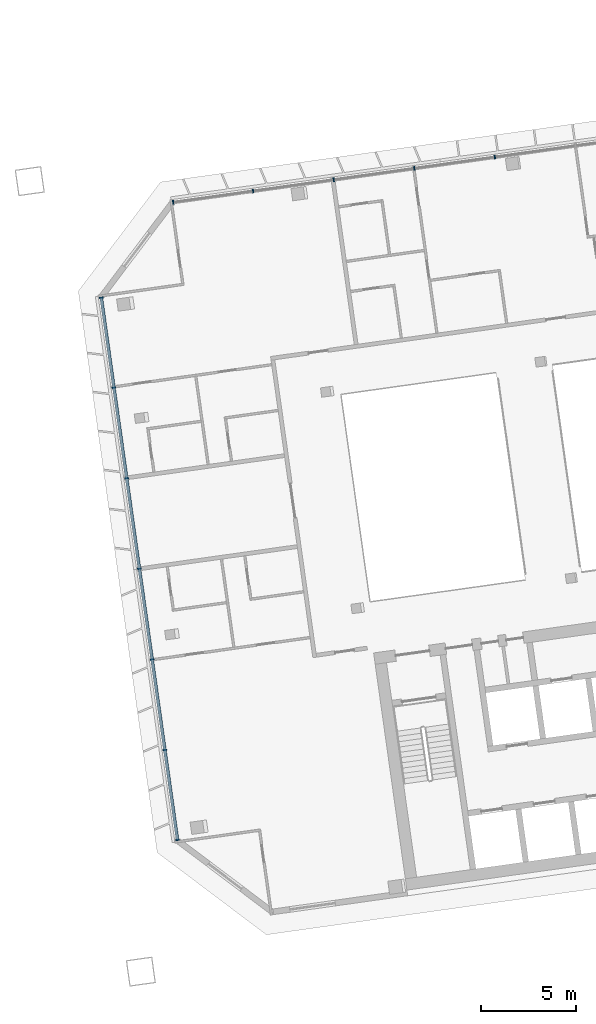
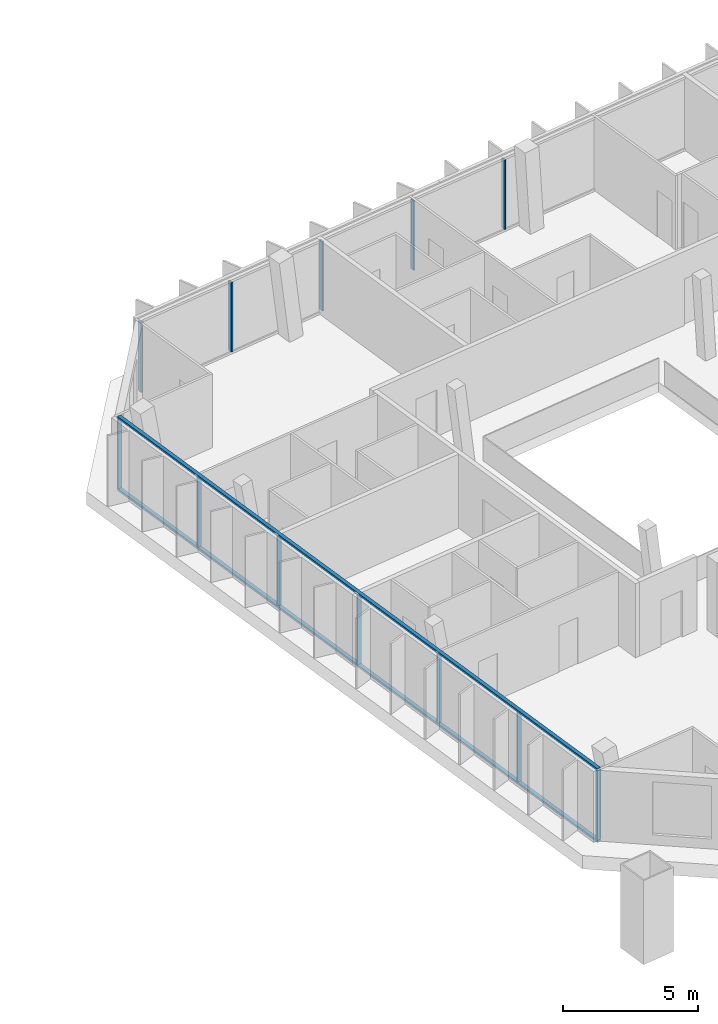
# One storey, part 9 of 26: 14 members, 2 elements without a shape of their own.
"""IFC4 building model written with IfcOpenShell, lengths in metres."""

from ifc_helpers import new_model, si_unit, direction, frame, origin, origin_2d, place, context, subcontext, project, spatial, rectangle, extrude, material, material_profile, profile_set, type_object, element, aggregate, save


model = new_model("IFC4")

# Units and contexts
model_context = context("Model", 3, precision=1e-05, world=origin(), true_north=direction((0.0, 1.0)))
body_context = subcontext(model_context, "Body", "Model", "MODEL_VIEW")
ifc_project = project(units=[si_unit("LENGTHUNIT", "METRE"), si_unit("AREAUNIT", "SQUARE_METRE"), si_unit("VOLUMEUNIT", "CUBIC_METRE"), si_unit("PLANEANGLEUNIT", "RADIAN"), si_unit("MASSUNIT", "GRAM", prefix="KILO")], contexts=[model_context])

# Site, building, storey
site_placement = place(None, origin())
site = spatial("IfcSite", under=ifc_project, at=site_placement, CompositionType="ELEMENT")
building_placement = place(site_placement, origin())
building = spatial("IfcBuilding", under=site, at=building_placement, Name="Mirante Cascada Hotel Towers", CompositionType="ELEMENT")
storey_placement = place(building_placement, frame((0.0, 0.0, 228.0)))
storey = spatial("IfcBuildingStorey", under=building, at=storey_placement, Name="L54", CompositionType="ELEMENT", Elevation=228.0)

# Curtain wall, members
ifc_material_1 = material(Name="Aluminium mullion and transom frame with clear laminated glass", Category="aluminium")
curtain_wall_type_1 = type_object("IfcCurtainWallType", Name="Ribbon curtain wall ECW1", PredefinedType="NOTDEFINED", material=ifc_material_1)
curtain_wall_1_placement = place(storey_placement, origin())
curtain_wall_1 = element("IfcCurtainWall", 1, at=curtain_wall_1_placement, inside=storey, type_object=curtain_wall_type_1, Name="Front ribbon wall T2 L54", PredefinedType="NOTDEFINED")
ifc_material_2 = material(Name="Anodised aluminium extrusion", Category="aluminium")
ifc_material_profile_1 = material_profile(ifc_material_2, rectangle(XDim=0.2, YDim=0.065, at=origin_2d()), Name="ECW1 MULLION 65x200")
ifc_profile_set_1 = profile_set([ifc_material_profile_1], Name="Anodised aluminium extrusion")
member_type_1 = type_object("IfcMemberType", Name="ECW1 mullion 65x200", PredefinedType="MULLION", material=ifc_profile_set_1)
member_1_placement = place(storey_placement, frame((41.9825, 18.7193, 0.1), z_axis=(0.0, 0.0, 1.0), x_axis=(0.1391731, -0.9902681, 0.0)))
member_1 = element("IfcMember", 2, at=member_1_placement, type_object=member_type_1, Name="ECW1 mullion 7", PredefinedType="MULLION", context=body_context, shape_type="SweptSolid", body=[
    extrude(rectangle(XDim=0.2, YDim=0.065, at=origin_2d()), origin(), (0.0, 0.0, 1.0), 3.15),
])
member_2_placement = place(storey_placement, frame((37.7428, 18.1234, 0.1), z_axis=(0.0, 0.0, 1.0), x_axis=(0.1391731, -0.9902681, 0.0)))
member_2 = element("IfcMember", 3, at=member_2_placement, type_object=member_type_1, Name="ECW1 mullion 8", PredefinedType="MULLION", context=body_context, shape_type="SweptSolid", body=[
    extrude(rectangle(XDim=0.2, YDim=0.065, at=origin_2d()), origin(), (0.0, 0.0, 1.0), 3.15),
])
member_3_placement = place(storey_placement, frame((33.503, 17.5276, 0.1), z_axis=(0.0, 0.0, 1.0), x_axis=(0.1391731, -0.9902681, 0.0)))
member_3 = element("IfcMember", 4, at=member_3_placement, type_object=member_type_1, Name="ECW1 mullion 9", PredefinedType="MULLION", context=body_context, shape_type="SweptSolid", body=[
    extrude(rectangle(XDim=0.2, YDim=0.065, at=origin_2d()), origin(), (0.0, 0.0, 1.0), 3.15),
])
member_4_placement = place(storey_placement, frame((29.2633, 16.9317, 0.1), z_axis=(0.0, 0.0, 1.0), x_axis=(0.1391731, -0.9902681, 0.0)))
member_4 = element("IfcMember", 5, at=member_4_placement, type_object=member_type_1, Name="ECW1 mullion 10", PredefinedType="MULLION", context=body_context, shape_type="SweptSolid", body=[
    extrude(rectangle(XDim=0.2, YDim=0.065, at=origin_2d()), origin(), (0.0, 0.0, 1.0), 3.15),
])
member_5_placement = place(storey_placement, frame((25.0557, 16.3404, 0.1), z_axis=(0.0, 0.0, 1.0), x_axis=(0.1391731, -0.9902681, 0.0)))
member_5 = element("IfcMember", 6, at=member_5_placement, type_object=member_type_1, Name="ECW1 mullion 11", PredefinedType="MULLION", context=body_context, shape_type="SweptSolid", body=[
    extrude(rectangle(XDim=0.2, YDim=0.065, at=origin_2d()), origin(), (0.0, 0.0, 1.0), 3.15),
])
aggregate(curtain_wall_1, [member_1, member_2, member_3, member_4, member_5])

ifc_material_3 = material(Name="Aluminium mullion and transom frame with clear laminated glass", Category="aluminium")
curtain_wall_type_2 = type_object("IfcCurtainWallType", Name="End ribbon curtain wall ECW2", PredefinedType="NOTDEFINED", material=ifc_material_3)
curtain_wall_2_placement = place(storey_placement, origin())
curtain_wall_2 = element("IfcCurtainWall", 7, at=curtain_wall_2_placement, inside=storey, type_object=curtain_wall_type_2, Name="Inner end wall T2 L54", PredefinedType="NOTDEFINED")
ifc_material_4 = material(Name="Anodised aluminium extrusion", Category="aluminium")
ifc_material_profile_2 = material_profile(ifc_material_4, rectangle(XDim=0.2, YDim=0.065, at=origin_2d()), Name="ECW2 MULLION 65x200")
ifc_profile_set_2 = profile_set([ifc_material_profile_2], Name="Anodised aluminium extrusion")
member_type_2 = type_object("IfcMemberType", Name="ECW2 mullion 65x200", PredefinedType="MULLION", material=ifc_profile_set_2)
member_6_placement = place(storey_placement, frame((21.2729, 11.3204, 0.1), z_axis=(0.0, 0.0, 1.0), x_axis=(0.9902681, 0.1391731, 0.0)))
member_6 = element("IfcMember", 8, at=member_6_placement, type_object=member_type_2, Name="ECW2 mullion 1", PredefinedType="MULLION", context=body_context, shape_type="SweptSolid", body=[
    extrude(rectangle(XDim=0.2, YDim=0.065, at=origin_2d()), origin(), (0.0, 0.0, 1.0), 3.15),
])
member_7_placement = place(storey_placement, frame((21.9382, 6.5868, 0.1), z_axis=(0.0, 0.0, 1.0), x_axis=(0.9902681, 0.1391731, 0.0)))
member_7 = element("IfcMember", 9, at=member_7_placement, type_object=member_type_2, Name="ECW2 mullion 2", PredefinedType="MULLION", context=body_context, shape_type="SweptSolid", body=[
    extrude(rectangle(XDim=0.2, YDim=0.065, at=origin_2d()), origin(), (0.0, 0.0, 1.0), 3.15),
])
member_8_placement = place(storey_placement, frame((22.608, 1.821, 0.1), z_axis=(0.0, 0.0, 1.0), x_axis=(0.9902681, 0.1391731, 0.0)))
member_8 = element("IfcMember", 10, at=member_8_placement, type_object=member_type_2, Name="ECW2 mullion 3", PredefinedType="MULLION", context=body_context, shape_type="SweptSolid", body=[
    extrude(rectangle(XDim=0.2, YDim=0.065, at=origin_2d()), origin(), (0.0, 0.0, 1.0), 3.15),
])
member_9_placement = place(storey_placement, frame((23.2778, -2.9447, 0.1), z_axis=(0.0, 0.0, 1.0), x_axis=(0.9902681, 0.1391731, 0.0)))
member_9 = element("IfcMember", 11, at=member_9_placement, type_object=member_type_2, Name="ECW2 mullion 4", PredefinedType="MULLION", context=body_context, shape_type="SweptSolid", body=[
    extrude(rectangle(XDim=0.2, YDim=0.065, at=origin_2d()), origin(), (0.0, 0.0, 1.0), 3.15),
])
member_10_placement = place(storey_placement, frame((23.9476, -7.7105, 0.1), z_axis=(0.0, 0.0, 1.0), x_axis=(0.9902681, 0.1391731, 0.0)))
member_10 = element("IfcMember", 12, at=member_10_placement, type_object=member_type_2, Name="ECW2 mullion 5", PredefinedType="MULLION", context=body_context, shape_type="SweptSolid", body=[
    extrude(rectangle(XDim=0.2, YDim=0.065, at=origin_2d()), origin(), (0.0, 0.0, 1.0), 3.15),
])
member_11_placement = place(storey_placement, frame((24.6174, -12.4763, 0.1), z_axis=(0.0, 0.0, 1.0), x_axis=(0.9902681, 0.1391731, 0.0)))
member_11 = element("IfcMember", 13, at=member_11_placement, type_object=member_type_2, Name="ECW2 mullion 6", PredefinedType="MULLION", context=body_context, shape_type="SweptSolid", body=[
    extrude(rectangle(XDim=0.2, YDim=0.065, at=origin_2d()), origin(), (0.0, 0.0, 1.0), 3.15),
])
member_12_placement = place(storey_placement, frame((25.2826, -17.2099, 0.1), z_axis=(0.0, 0.0, 1.0), x_axis=(0.9902681, 0.1391731, 0.0)))
member_12 = element("IfcMember", 14, at=member_12_placement, type_object=member_type_2, Name="ECW2 mullion 7", PredefinedType="MULLION", context=body_context, shape_type="SweptSolid", body=[
    extrude(rectangle(XDim=0.2, YDim=0.065, at=origin_2d()), origin(), (0.0, 0.0, 1.0), 3.15),
])
ifc_material_5 = material(Name="Anodised aluminium extrusion", Category="aluminium")
ifc_material_profile_3 = material_profile(ifc_material_5, rectangle(XDim=0.16, YDim=0.1, at=origin_2d()), Name="ECW2 TRANSOM 100x160")
ifc_profile_set_3 = profile_set([ifc_material_profile_3], Name="Anodised aluminium extrusion")
member_type_3 = type_object("IfcMemberType", Name="ECW2 transom 100x160", PredefinedType="USERDEFINED", material=ifc_profile_set_3)
member_13_placement = place(storey_placement, frame((21.2684, 11.3526, 0.05), z_axis=(0.1391723, -0.9902682, 0.0), x_axis=(0.9902682, 0.1391723, 0.0)))
member_13 = element("IfcMember", 15, at=member_13_placement, type_object=member_type_3, Name="ECW2 sill transom", ObjectType="TRANSOM", PredefinedType="USERDEFINED", context=body_context, shape_type="SweptSolid", body=[
    extrude(rectangle(XDim=0.16, YDim=0.1, at=origin_2d()), origin(), (0.0, 0.0, 1.0), 28.8757),
])
member_14_placement = place(storey_placement, frame((21.2684, 11.3526, 3.3), z_axis=(0.1391723, -0.9902682, 0.0), x_axis=(0.9902682, 0.1391723, 0.0)))
member_14 = element("IfcMember", 16, at=member_14_placement, type_object=member_type_3, Name="ECW2 head transom", ObjectType="TRANSOM", PredefinedType="USERDEFINED", context=body_context, shape_type="SweptSolid", body=[
    extrude(rectangle(XDim=0.16, YDim=0.1, at=origin_2d()), origin(), (0.0, 0.0, 1.0), 28.8757),
])
aggregate(curtain_wall_2, [member_13, member_14, member_6, member_7, member_8, member_9, member_10, member_11, member_12])

save(model, "model.ifc")
